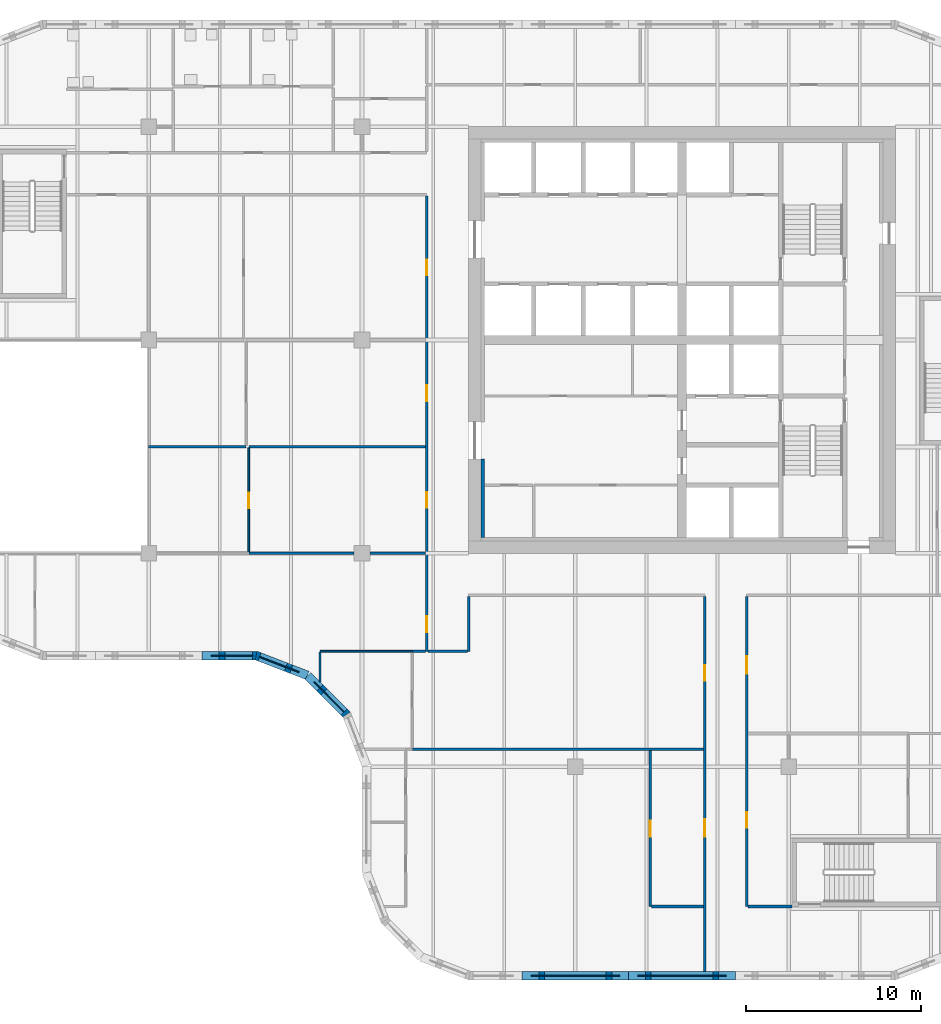
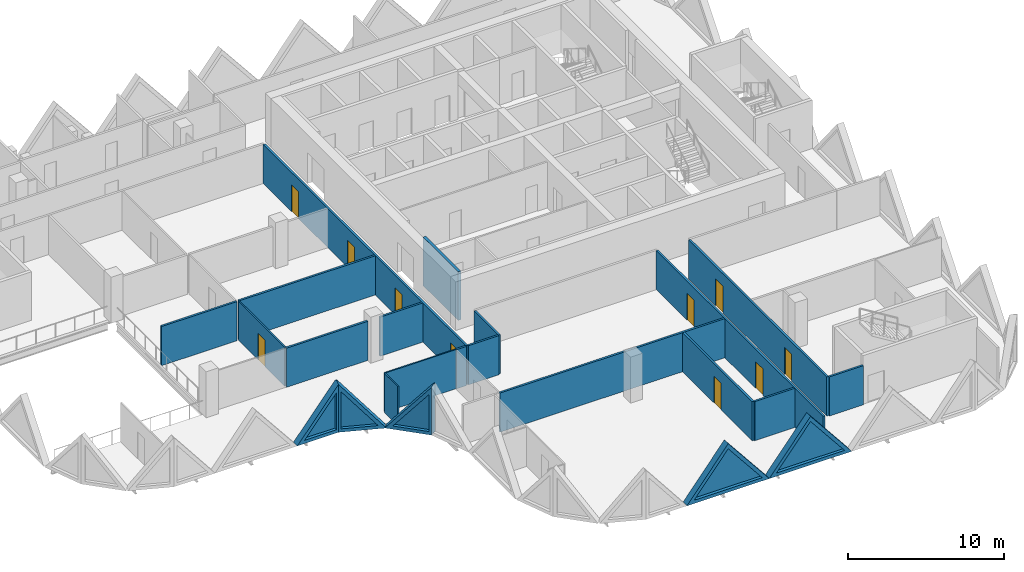
# One storey, part 5 of 17: 23 walls, 10 doors, 5 plates, 15 openings.
"""IFC4 building model written with IfcOpenShell, lengths in metres."""

from ifc_helpers import new_model, si_unit, direction, frame, frame_2d, origin, place, context, subcontext, project, spatial, polyline, rectangle, outline, extrude, faceted_brep, source, transform, mapped, material, layer, layer_set, type_object, element, fill, save


model = new_model("IFC4")

# Units and contexts
model_context = context("Model", 3, precision=1e-05, world=origin(), true_north=direction((0.0, 1.0)))
body_context = subcontext(model_context, "Body", "Model", "MODEL_VIEW")
ifc_project = project(units=[si_unit("LENGTHUNIT", "METRE"), si_unit("AREAUNIT", "SQUARE_METRE"), si_unit("VOLUMEUNIT", "CUBIC_METRE"), si_unit("PLANEANGLEUNIT", "RADIAN"), si_unit("MASSUNIT", "GRAM", prefix="KILO")], contexts=[model_context])

# Site, building, storey
site_placement = place(None, origin())
site = spatial("IfcSite", under=ifc_project, at=site_placement, CompositionType="ELEMENT")
building_placement = place(site_placement, origin())
building = spatial("IfcBuilding", under=site, at=building_placement, Name="Tessera Gate Towers", CompositionType="ELEMENT")
storey_placement = place(building_placement, frame((0.0, 0.0, 112.60009765625)))
storey = spatial("IfcBuildingStorey", under=building, at=storey_placement, Name="L27", CompositionType="ELEMENT", Elevation=112.60009765625)

# Wall
ifc_material_1 = material(Name="Concrete C60/75", Category="concrete")
ifc_layer_1 = layer(ifc_material_1, 0.199951171875)
ifc_layer_set_1 = layer_set([ifc_layer_1], Name="CORE WALL THICKENING 200")
wall_type_1 = type_object("IfcWallType", Name="CORE WALL THICKENING 200", PredefinedType="SOLIDWALL", material=ifc_layer_set_1)
wall_1_placement = place(storey_placement, frame((31.300048828125, 25.300048828125, 0.0), z_axis=(0.0, 0.0, 1.0), x_axis=(0.0, 1.0, 0.0)))
element("IfcWall", 1, at=wall_1_placement, inside=storey, type_object=wall_type_1, Name="Core wall thickening W L27", PredefinedType="SOLIDWALL", context=body_context, shape_type="SweptSolid", body=[
    extrude(rectangle(XDim=4.5, YDim=0.199951171875, at=frame_2d((2.25, 0.0))), origin(), (0.0, 0.0, 1.0), 3.7998046875),
])

# Wall, openings, doors
ifc_material_2 = material(Name="Gypsum board on steel studs, mineral wool", Category="steel")
ifc_layer_2 = layer(ifc_material_2, 0.14990234375)
ifc_layer_set_2 = layer_set([ifc_layer_2], Name="CORRIDOR WALL 150")
wall_type_2 = type_object("IfcWallType", Name="CORRIDOR WALL 150", PredefinedType="PARTITIONING", material=ifc_layer_set_2)
wall_2_placement = place(storey_placement, frame((44.0, 0.5, 0.0), z_axis=(0.0, 0.0, 1.0), x_axis=(0.0, 1.0, 0.0)))
wall_2 = element("IfcWall", 2, at=wall_2_placement, inside=storey, type_object=wall_type_2, Name="T1-L27-PW-001", PredefinedType="PARTITIONING", context=body_context, shape_type="SweptSolid", body=[
    extrude(rectangle(XDim=21.424072265625, YDim=0.14990234375, at=frame_2d((10.7119140625, 0.0))), origin(), (0.0, 0.0, 1.0), 3.06689453125),
])
shared_shape_1 = source(origin(), body_context, "Body", "SweptSolid", [
    extrude(rectangle(XDim=0.89990234375, YDim=2.10009765625, at=frame_2d((0.449951171875, 1.050048828125))), frame((0.0, 0.0849609375, 0.0), z_axis=(0.0, -1.0, 0.0), x_axis=(1.0, 0.0, 0.0)), (0.0, 0.0, 1.0), 0.169921875),
])
opening_1_placement = place(wall_2_placement, frame((16.60107421875, 0.0, 0.0)))
opening_1 = element("IfcOpeningElement", 3, at=opening_1_placement, cuts=wall_2, Name="Opening D890FD60-A10-06", PredefinedType="OPENING", context=body_context, shape_type="MappedRepresentation", body=[
    mapped(shared_shape_1, transform((0.0, 0.0, 0.0), scale=1.0)),
])
shared_shape_2 = source(origin(), body_context, "Body", "SweptSolid", [
    extrude(rectangle(XDim=1.0, YDim=2.10009765625, at=frame_2d((0.5, 1.050048828125))), frame((0.0, 0.0849609375, 0.0), z_axis=(0.0, -1.0, 0.0), x_axis=(1.0, 0.0, 0.0)), (0.0, 0.0, 1.0), 0.169921875),
])
opening_2_placement = place(wall_2_placement, frame((7.699951171875, 0.0, 0.0)))
opening_2 = element("IfcOpeningElement", 4, at=opening_2_placement, cuts=wall_2, Name="Opening D2100FD60-A10-05", PredefinedType="OPENING", context=body_context, shape_type="MappedRepresentation", body=[
    mapped(shared_shape_2, transform((0.0, 0.0, 0.0), scale=1.0)),
])
ifc_material_3 = material(Name="Timber door leaf in steel frame", Category="steel")
door_type_1 = type_object("IfcDoorType", Name="CORRIDOR DOOR 900 FD60", OperationType="NOTDEFINED", PredefinedType="DOOR", material=ifc_material_3)
shared_shape_3 = source(origin(), body_context, "Body", "SweptSolid", [
    extrude(rectangle(XDim=0.89990234375, YDim=2.10009765625, at=frame_2d((0.449951171875, 1.050048828125))), frame((0.0, 0.02490234375, 0.0), z_axis=(0.0, -1.0, 0.0), x_axis=(1.0, 0.0, 0.0)), (0.0, 0.0, 1.0), 0.050048828125),
])
door_1_placement = place(opening_1_placement, origin())
door_1 = element("IfcDoor", 5, at=door_1_placement, inside=storey, type_object=door_type_1, Name="T1-L27-PD-022", OperationType="SINGLE_SWING_LEFT", OverallHeight=2.10009765625, OverallWidth=0.89990234375, PredefinedType="DOOR", context=body_context, shape_type="MappedRepresentation", body=[
    mapped(shared_shape_3, transform((0.0, 0.0, 0.0), scale=1.0)),
])
fill(opening_1, door_1)
ifc_material_4 = material(Name="Timber door leaf in steel frame", Category="steel")
door_type_2 = type_object("IfcDoorType", Name="TENANCY ENTRANCE DOOR 1000 FD60", OperationType="NOTDEFINED", PredefinedType="DOOR", material=ifc_material_4)
shared_shape_4 = source(origin(), body_context, "Body", "SweptSolid", [
    extrude(rectangle(XDim=1.0, YDim=2.10009765625, at=frame_2d((0.5, 1.050048828125))), frame((0.0, 0.02490234375, 0.0), z_axis=(0.0, -1.0, 0.0), x_axis=(1.0, 0.0, 0.0)), (0.0, 0.0, 1.0), 0.050048828125),
])
door_2_placement = place(opening_2_placement, origin())
door_2 = element("IfcDoor", 6, at=door_2_placement, inside=storey, type_object=door_type_2, Name="T1-L27-PD-023", OperationType="SINGLE_SWING_LEFT", OverallHeight=2.10009765625, OverallWidth=1.0, PredefinedType="DOOR", context=body_context, shape_type="MappedRepresentation", body=[
    mapped(shared_shape_4, transform((0.0, 0.0, 0.0), scale=1.0)),
])
fill(opening_2, door_2)

wall_3_placement = place(storey_placement, frame((46.39990234375, 21.924072265625, 0.0), z_axis=(0.0, 0.0, 1.0), x_axis=(0.0, -1.0, 0.0)))
wall_3 = element("IfcWall", 7, at=wall_3_placement, inside=storey, type_object=wall_type_2, Name="T1-L27-PW-007", PredefinedType="PARTITIONING", context=body_context, shape_type="SweptSolid", body=[
    extrude(rectangle(XDim=17.72412109375, YDim=0.14990234375, at=frame_2d((8.862060546875, 0.0))), origin(), (0.0, 0.0, 1.0), 3.06689453125),
])
opening_3_placement = place(wall_3_placement, frame((3.423095703125, 0.0, 0.0)))
opening_3 = element("IfcOpeningElement", 8, at=opening_3_placement, cuts=wall_3, Name="Opening D2100FD60-A10-04", PredefinedType="OPENING", context=body_context, shape_type="MappedRepresentation", body=[
    mapped(shared_shape_2, transform((0.0, 0.0, 0.0), scale=1.0)),
])
opening_4_placement = place(wall_3_placement, frame((12.323974609375, 0.0, 0.0)))
opening_4 = element("IfcOpeningElement", 9, at=opening_4_placement, cuts=wall_3, Name="Opening D890FD60-A10-07", PredefinedType="OPENING", context=body_context, shape_type="MappedRepresentation", body=[
    mapped(shared_shape_1, transform((0.0, 0.0, 0.0), scale=1.0)),
])
door_3_placement = place(opening_4_placement, origin())
door_3 = element("IfcDoor", 10, at=door_3_placement, inside=storey, type_object=door_type_1, Name="T1-L27-PD-025", OperationType="SINGLE_SWING_RIGHT", OverallHeight=2.10009765625, OverallWidth=0.89990234375, PredefinedType="DOOR", context=body_context, shape_type="MappedRepresentation", body=[
    mapped(shared_shape_3, transform((0.0, 0.0, 0.0), scale=1.0)),
])
fill(opening_4, door_3)
door_4_placement = place(opening_3_placement, origin())
door_4 = element("IfcDoor", 11, at=door_4_placement, inside=storey, type_object=door_type_2, Name="T1-L27-PD-018", OperationType="SINGLE_SWING_RIGHT", OverallHeight=2.10009765625, OverallWidth=1.0, PredefinedType="DOOR", context=body_context, shape_type="MappedRepresentation", body=[
    mapped(shared_shape_4, transform((0.0, 0.0, 0.0), scale=1.0)),
])
fill(opening_3, door_4)

# Wall
wall_4_placement = place(storey_placement, frame((46.47607421875, 4.199951171875, 0.0), z_axis=(0.0, 0.0, 1.0), x_axis=(1.0, 0.0, 0.0)))
element("IfcWall", 12, at=wall_4_placement, inside=storey, type_object=wall_type_2, Name="T1-L27-PW-008", PredefinedType="PARTITIONING", context=body_context, shape_type="SweptSolid", body=[
    extrude(rectangle(XDim=2.52392578125, YDim=0.14990234375, at=frame_2d((1.261962890625, 0.0))), origin(), (0.0, 0.0, 1.0), 3.06689453125),
])

# Wall, openings, doors
wall_5_placement = place(storey_placement, frame((28.10009765625, 18.800048828125, 0.0), z_axis=(0.0, 0.0, 1.0), x_axis=(0.0, 1.0, 0.0)))
wall_5 = element("IfcWall", 13, at=wall_5_placement, inside=storey, type_object=wall_type_2, Name="T1-L27-PW-021", PredefinedType="PARTITIONING", context=body_context, shape_type="SweptSolid", body=[
    extrude(rectangle(XDim=26.02392578125, YDim=0.14990234375, at=frame_2d((13.011962890625, 0.0))), origin(), (0.0, 0.0, 1.0), 3.06689453125),
])
opening_5_placement = place(wall_5_placement, frame((1.10009765625, 0.0, 0.0)))
opening_5 = element("IfcOpeningElement", 14, at=opening_5_placement, cuts=wall_5, Name="Opening D890FD60-A10-01", PredefinedType="OPENING", context=body_context, shape_type="MappedRepresentation", body=[
    mapped(shared_shape_1, transform((0.0, 0.0, 0.0), scale=1.0)),
])
opening_6_placement = place(wall_5_placement, frame((14.301025390625, 0.0, 0.0)))
opening_6 = element("IfcOpeningElement", 15, at=opening_6_placement, cuts=wall_5, Name="Opening D890FD60-A10-02", PredefinedType="OPENING", context=body_context, shape_type="MappedRepresentation", body=[
    mapped(shared_shape_1, transform((0.0, 0.0, 0.0), scale=1.0)),
])
opening_7_placement = place(wall_5_placement, frame((8.199951171875, 0.0, 0.0)))
opening_7 = element("IfcOpeningElement", 16, at=opening_7_placement, cuts=wall_5, Name="Opening D890FD60-A10-03", PredefinedType="OPENING", context=body_context, shape_type="MappedRepresentation", body=[
    mapped(shared_shape_1, transform((0.0, 0.0, 0.0), scale=1.0)),
])
opening_8_placement = place(wall_5_placement, frame((21.5, 0.0, 0.0)))
opening_8 = element("IfcOpeningElement", 17, at=opening_8_placement, cuts=wall_5, Name="Opening D890FD60-A10-04", PredefinedType="OPENING", context=body_context, shape_type="MappedRepresentation", body=[
    mapped(shared_shape_1, transform((0.0, 0.0, 0.0), scale=1.0)),
])
door_5_placement = place(opening_5_placement, origin())
door_5 = element("IfcDoor", 18, at=door_5_placement, inside=storey, type_object=door_type_1, Name="T1-L27-PD-001", OperationType="SINGLE_SWING_LEFT", OverallHeight=2.10009765625, OverallWidth=0.89990234375, PredefinedType="DOOR", context=body_context, shape_type="MappedRepresentation", body=[
    mapped(shared_shape_3, transform((0.0, 0.0, 0.0), scale=1.0)),
])
fill(opening_5, door_5)
door_6_placement = place(opening_6_placement, origin())
door_6 = element("IfcDoor", 19, at=door_6_placement, inside=storey, type_object=door_type_1, Name="T1-L27-PD-014", OperationType="SINGLE_SWING_LEFT", OverallHeight=2.10009765625, OverallWidth=0.89990234375, PredefinedType="DOOR", context=body_context, shape_type="MappedRepresentation", body=[
    mapped(shared_shape_3, transform((0.0, 0.0, 0.0), scale=1.0)),
])
fill(opening_6, door_6)
door_7_placement = place(opening_7_placement, origin())
door_7 = element("IfcDoor", 20, at=door_7_placement, inside=storey, type_object=door_type_1, Name="T1-L27-PD-017", OperationType="SINGLE_SWING_LEFT", OverallHeight=2.10009765625, OverallWidth=0.89990234375, PredefinedType="DOOR", context=body_context, shape_type="MappedRepresentation", body=[
    mapped(shared_shape_3, transform((0.0, 0.0, 0.0), scale=1.0)),
])
fill(opening_7, door_7)
door_8_placement = place(opening_8_placement, origin())
door_8 = element("IfcDoor", 21, at=door_8_placement, inside=storey, type_object=door_type_1, Name="T1-L27-PD-020", OperationType="SINGLE_SWING_LEFT", OverallHeight=2.10009765625, OverallWidth=0.89990234375, PredefinedType="DOOR", context=body_context, shape_type="MappedRepresentation", body=[
    mapped(shared_shape_3, transform((0.0, 0.0, 0.0), scale=1.0)),
])
fill(opening_8, door_8)

# Walls
wall_6_placement = place(storey_placement, frame((28.176025390625, 18.800048828125, 0.0), z_axis=(0.0, 0.0, 1.0), x_axis=(1.0, 0.0, 0.0)))
element("IfcWall", 22, at=wall_6_placement, inside=storey, type_object=wall_type_2, Name="T1-L27-PW-022", PredefinedType="PARTITIONING", context=body_context, shape_type="SweptSolid", body=[
    extrude(rectangle(XDim=2.248046875, YDim=0.14990234375, at=frame_2d((1.1240234375, 0.0))), origin(), (0.0, 0.0, 1.0), 3.06689453125),
])
wall_7_placement = place(storey_placement, frame((30.5, 18.800048828125, 0.0), z_axis=(0.0, 0.0, 1.0), x_axis=(0.0, 1.0, 0.0)))
element("IfcWall", 23, at=wall_7_placement, inside=storey, type_object=wall_type_2, Name="T1-L27-PW-023", PredefinedType="PARTITIONING", context=body_context, shape_type="SweptSolid", body=[
    extrude(rectangle(XDim=3.1240234375, YDim=0.14990234375, at=frame_2d((1.56201171875, 0.0))), origin(), (0.0, 0.0, 1.0), 3.06689453125),
])
ifc_material_5 = material(Name="Glass", Category="glass")
ifc_layer_3 = layer(ifc_material_5, 0.10009765625)
ifc_layer_set_3 = layer_set([ifc_layer_3], Name="GLAZED PARTITION 100")
wall_type_3 = type_object("IfcWallType", Name="GLAZED PARTITION 100", PredefinedType="PARTITIONING", material=ifc_layer_set_3)
wall_8_placement = place(storey_placement, frame((22.0, 17.054931640625, 0.0), z_axis=(0.0, 0.0, 1.0), x_axis=(0.0, 1.0, 0.0)))
element("IfcWall", 24, at=wall_8_placement, inside=storey, type_object=wall_type_3, Name="T1-L27-PW-018", PredefinedType="PARTITIONING", context=body_context, shape_type="SweptSolid", body=[
    extrude(rectangle(XDim=1.694091796875, YDim=0.10009765625, at=frame_2d((0.84716796875, 0.0))), origin(), (0.0, 0.0, 1.0), 3.06689453125),
])
wall_9_placement = place(storey_placement, frame((22.0, 18.800048828125, 0.0), z_axis=(0.0, 0.0, 1.0), x_axis=(1.0, 0.0, 0.0)))
element("IfcWall", 25, at=wall_9_placement, inside=storey, type_object=wall_type_3, Name="T1-L27-PW-019", PredefinedType="PARTITIONING", context=body_context, shape_type="SweptSolid", body=[
    extrude(rectangle(XDim=5.27392578125, YDim=0.10009765625, at=frame_2d((2.636962890625, 0.0))), origin(), (0.0, 0.0, 1.0), 3.06689453125),
])

# Wall, opening, door
wall_10_placement = place(storey_placement, frame((17.925048828125, 24.47607421875, 0.0), z_axis=(0.0, 0.0, 1.0), x_axis=(0.0, 1.0, 0.0)))
wall_10 = element("IfcWall", 26, at=wall_10_placement, inside=storey, type_object=wall_type_3, Name="T1-L27-PW-032", PredefinedType="PARTITIONING", context=body_context, shape_type="SweptSolid", body=[
    extrude(rectangle(XDim=5.947998046875, YDim=0.10009765625, at=frame_2d((2.97412109375, 0.0))), origin(), (0.0, 0.0, 1.0), 3.06689453125),
])
shared_shape_5 = source(origin(), body_context, "Body", "SweptSolid", [
    extrude(rectangle(XDim=0.89990234375, YDim=2.10009765625, at=frame_2d((0.449951171875, 1.050048828125))), frame((0.0, 0.06005859375, 0.0), z_axis=(0.0, -1.0, 0.0), x_axis=(1.0, 0.0, 0.0)), (0.0, 0.0, 1.0), 0.1201171875),
])
opening_9_placement = place(wall_10_placement, frame((2.5, 0.0, 0.0)))
opening_9 = element("IfcOpeningElement", 27, at=opening_9_placement, cuts=wall_10, Name="Opening D690-A10-04", PredefinedType="OPENING", context=body_context, shape_type="MappedRepresentation", body=[
    mapped(shared_shape_5, transform((0.0, 0.0, 0.0), scale=1.0)),
])
ifc_material_6 = material(Name="Glass in aluminium frame", Category="aluminium")
door_type_3 = type_object("IfcDoorType", Name="GLAZED DOOR 900 NOT RATED", OperationType="NOTDEFINED", PredefinedType="DOOR", material=ifc_material_6)
door_9_placement = place(opening_9_placement, origin())
door_9 = element("IfcDoor", 28, at=door_9_placement, inside=storey, type_object=door_type_3, Name="T1-L27-PD-011", OperationType="SINGLE_SWING_LEFT", OverallHeight=2.10009765625, OverallWidth=0.89990234375, PredefinedType="DOOR", context=body_context, shape_type="MappedRepresentation", body=[
    mapped(shared_shape_3, transform((0.0, 0.0, 0.0), scale=1.0)),
])
fill(opening_9, door_9)

ifc_material_7 = material(Name="Gypsum board on steel studs, mineral wool", Category="steel")
ifc_layer_4 = layer(ifc_material_7, 0.14990234375)
ifc_layer_set_4 = layer_set([ifc_layer_4], Name="TENANCY WALL 150")
wall_type_4 = type_object("IfcWallType", Name="TENANCY WALL 150", PredefinedType="PARTITIONING", material=ifc_layer_set_4)
wall_11_placement = place(storey_placement, frame((40.875, 4.199951171875, 0.0), z_axis=(0.0, 0.0, 1.0), x_axis=(0.0, 1.0, 0.0)))
wall_11 = element("IfcWall", 29, at=wall_11_placement, inside=storey, type_object=wall_type_4, Name="T1-L27-PW-005", PredefinedType="PARTITIONING", context=body_context, shape_type="SweptSolid", body=[
    extrude(rectangle(XDim=8.924072265625, YDim=0.14990234375, at=frame_2d((4.4619140625, 0.0))), origin(), (0.0, 0.0, 1.0), 3.06689453125),
])
opening_10_placement = place(wall_11_placement, frame((4.0, 0.0, 0.0)))
opening_10 = element("IfcOpeningElement", 30, at=opening_10_placement, cuts=wall_11, Name="Opening D190-A10-07", PredefinedType="OPENING", context=body_context, shape_type="MappedRepresentation", body=[
    mapped(shared_shape_1, transform((0.0, 0.0, 0.0), scale=1.0)),
])
ifc_material_8 = material(Name="Timber door leaf in steel frame", Category="steel")
door_type_4 = type_object("IfcDoorType", Name="INTERNAL DOOR 900 NOT RATED", OperationType="NOTDEFINED", PredefinedType="DOOR", material=ifc_material_8)
door_10_placement = place(opening_10_placement, origin())
door_10 = element("IfcDoor", 31, at=door_10_placement, inside=storey, type_object=door_type_4, Name="T1-L27-PD-026", OperationType="SINGLE_SWING_LEFT", OverallHeight=2.10009765625, OverallWidth=0.89990234375, PredefinedType="DOOR", context=body_context, shape_type="MappedRepresentation", body=[
    mapped(shared_shape_3, transform((0.0, 0.0, 0.0), scale=1.0)),
])
fill(opening_10, door_10)

# Walls
wall_12_placement = place(storey_placement, frame((40.950927734375, 4.199951171875, 0.0), z_axis=(0.0, 0.0, 1.0), x_axis=(1.0, 0.0, 0.0)))
element("IfcWall", 32, at=wall_12_placement, inside=storey, type_object=wall_type_4, Name="T1-L27-PW-006", PredefinedType="PARTITIONING", context=body_context, shape_type="SweptSolid", body=[
    extrude(rectangle(XDim=2.97314453125, YDim=0.14990234375, at=frame_2d((1.486572265625, 0.0))), origin(), (0.0, 0.0, 1.0), 3.06689453125),
])
wall_13_placement = place(storey_placement, frame((27.27490234375, 13.199951171875, 0.0), z_axis=(0.0, 0.0, 1.0), x_axis=(1.0, 0.0, 0.0)))
element("IfcWall", 33, at=wall_13_placement, inside=storey, type_object=wall_type_4, Name="T1-L27-PW-014", PredefinedType="PARTITIONING", context=body_context, shape_type="SweptSolid", body=[
    extrude(rectangle(XDim=16.649169921875, YDim=0.14990234375, at=frame_2d((8.32470703125, 0.0))), origin(), (0.0, 0.0, 1.0), 3.06689453125),
])
wall_14_placement = place(storey_placement, frame((27.27490234375, 18.800048828125, 0.0), z_axis=(0.0, 0.0, 1.0), x_axis=(1.0, 0.0, 0.0)))
element("IfcWall", 34, at=wall_14_placement, inside=storey, type_object=wall_type_4, Name="T1-L27-PW-020", PredefinedType="PARTITIONING", context=body_context, shape_type="SweptSolid", body=[
    extrude(rectangle(XDim=0.7490234375, YDim=0.14990234375, at=frame_2d((0.37451171875, 0.0))), origin(), (0.0, 0.0, 1.0), 3.06689453125),
])
wall_15_placement = place(storey_placement, frame((17.925048828125, 24.39990234375, 0.0), z_axis=(0.0, 0.0, 1.0), x_axis=(1.0, 0.0, 0.0)))
element("IfcWall", 35, at=wall_15_placement, inside=storey, type_object=wall_type_4, Name="T1-L27-PW-030", PredefinedType="PARTITIONING", context=body_context, shape_type="SweptSolid", body=[
    extrude(rectangle(XDim=6.02392578125, YDim=0.14990234375, at=frame_2d((3.011962890625, 0.0))), origin(), (0.0, 0.0, 1.0), 3.06689453125),
])
wall_16_placement = place(storey_placement, frame((24.85107421875, 24.39990234375, 0.0), z_axis=(0.0, 0.0, 1.0), x_axis=(1.0, 0.0, 0.0)))
element("IfcWall", 36, at=wall_16_placement, inside=storey, type_object=wall_type_4, Name="T1-L27-PW-031", PredefinedType="PARTITIONING", context=body_context, shape_type="SweptSolid", body=[
    extrude(rectangle(XDim=3.1728515625, YDim=0.14990234375, at=frame_2d((1.58642578125, 0.0))), origin(), (0.0, 0.0, 1.0), 3.06689453125),
])
wall_17_placement = place(storey_placement, frame((12.199951171875, 30.5, 0.0), z_axis=(0.0, 0.0, 1.0), x_axis=(1.0, 0.0, 0.0)))
element("IfcWall", 37, at=wall_17_placement, inside=storey, type_object=wall_type_4, Name="T1-L27-PW-033", PredefinedType="PARTITIONING", context=body_context, shape_type="SweptSolid", body=[
    extrude(rectangle(XDim=5.574951171875, YDim=0.14990234375, at=frame_2d((2.78759765625, 0.0))), origin(), (0.0, 0.0, 1.0), 3.06689453125),
])
wall_18_placement = place(storey_placement, frame((17.925048828125, 30.5, 0.0), z_axis=(0.0, 0.0, 1.0), x_axis=(1.0, 0.0, 0.0)))
element("IfcWall", 38, at=wall_18_placement, inside=storey, type_object=wall_type_4, Name="T1-L27-PW-034", PredefinedType="PARTITIONING", context=body_context, shape_type="SweptSolid", body=[
    extrude(rectangle(XDim=10.098876953125, YDim=0.14990234375, at=frame_2d((5.04931640625, 0.0))), origin(), (0.0, 0.0, 1.0), 3.06689453125),
])

# Wall, opening, plate
ifc_material_9 = material(Name="Precast concrete C60/75 white", Category="concrete")
ifc_layer_5 = layer(ifc_material_9, 0.5)
ifc_layer_set_5 = layer_set([ifc_layer_5], Name="TS2 half tessera")
wall_type_5 = type_object("IfcWallType", Name="TS2 half tessera", PredefinedType="SOLIDWALL", material=ifc_layer_set_5)
shared_shape_6 = source(origin(), body_context, "Body", "Brep", [
    faceted_brep([(6.099853515625, -0.25, 0.000244140625), (3.050048828125, -0.25, 3.7998046875), (0.0, -0.25, 0.0), (6.099853515625, -0.25, 0.0), (0.0, 0.25, 0.0), (3.050048828125, 0.25, 3.7998046875), (6.099853515625, 0.25, 0.000244140625), (6.099853515625, 0.25, 0.0)], [[[0, 1, 2, 3]], [[4, 5, 6, 7]], [[6, 5, 1, 0]], [[5, 4, 2, 1]], [[4, 7, 3, 2]], [[3, 7, 6, 0]]]),
])
wall_19_placement = place(storey_placement, frame((33.550048828125, 0.25, 0.0), z_axis=(0.0, 0.0, 1.0), x_axis=(1.0, 0.0, 0.0)))
wall_19 = element("IfcWall", 39, at=wall_19_placement, inside=storey, type_object=wall_type_5, Name="Precast half tessera T1 TS2-0138", PredefinedType="SOLIDWALL", context=body_context, shape_type="MappedRepresentation", body=[
    mapped(shared_shape_6, transform((0.0, 0.0, 0.0), scale=1.0)),
])
shared_shape_7 = source(origin(), body_context, "Body", "SweptSolid", [
    extrude(outline(polyline([(5.578857421875, 0.25), (3.050048828125, 3.400390625), (0.521240234375, 0.25), (5.578857421875, 0.25)])), frame((0.0, 0.260009765625, 0.0), z_axis=(0.0, -1.0, 0.0), x_axis=(1.0, 0.0, 0.0)), (0.0, 0.0, 1.0), 0.52001953125),
])
opening_11_placement = place(wall_19_placement, origin())
opening_11 = element("IfcOpeningElement", 40, at=opening_11_placement, cuts=wall_19, Name="Opening T1-PL1-0284", PredefinedType="OPENING", context=body_context, shape_type="MappedRepresentation", body=[
    mapped(shared_shape_7, transform((0.0, 0.0, 0.0), scale=1.0)),
])
ifc_material_10 = material(Name="Low-e laminated glass", Category="glass")
ifc_layer_6 = layer(ifc_material_10, 0.06005859375)
ifc_layer_set_6 = layer_set([ifc_layer_6], Name="PL1 triangular pane")
plate_type = type_object("IfcPlateType", Name="PL1 triangular pane", PredefinedType="SHEET", material=ifc_layer_set_6)
shared_shape_8 = source(origin(), body_context, "Body", "SweptSolid", [
    extrude(outline(polyline([(5.578857421875, 0.25), (3.050048828125, 3.400390625), (0.521240234375, 0.25), (5.578857421875, 0.25)])), frame((0.0, 0.030029296875, 0.0), z_axis=(0.0, -1.0, 0.0), x_axis=(1.0, 0.0, 0.0)), (0.0, 0.0, 1.0), 0.06005859375),
])
plate_1_placement = place(opening_11_placement, origin())
plate_1 = element("IfcPlate", 41, at=plate_1_placement, inside=storey, type_object=plate_type, Name="Glass pane T1 PL1-0284", PredefinedType="SHEET", context=body_context, shape_type="MappedRepresentation", body=[
    mapped(shared_shape_8, transform((0.0, 0.0, 0.0), scale=1.0)),
])
fill(opening_11, plate_1)

shared_shape_9 = source(origin(), body_context, "Body", "SweptSolid", [
    extrude(outline(polyline([(6.10009765625, 0.0), (3.050048828125, 3.7998046875), (0.0, 0.0), (6.10009765625, 0.0)])), frame((0.0, 0.25, 0.0), z_axis=(0.0, -1.0, 0.0), x_axis=(1.0, 0.0, 0.0)), (0.0, 0.0, 1.0), 0.5),
])
wall_20_placement = place(storey_placement, frame((39.64990234375, 0.25, 0.0), z_axis=(0.0, 0.0, 1.0), x_axis=(1.0, 0.0, 0.0)))
wall_20 = element("IfcWall", 42, at=wall_20_placement, inside=storey, type_object=wall_type_5, Name="Precast half tessera T1 TS2-0139", PredefinedType="SOLIDWALL", context=body_context, shape_type="MappedRepresentation", body=[
    mapped(shared_shape_9, transform((0.0, 0.0, 0.0), scale=1.0)),
])
opening_12_placement = place(wall_20_placement, origin())
opening_12 = element("IfcOpeningElement", 43, at=opening_12_placement, cuts=wall_20, Name="Opening T1-PL1-0285", PredefinedType="OPENING", context=body_context, shape_type="MappedRepresentation", body=[
    mapped(shared_shape_7, transform((0.0, 0.0, 0.0), scale=1.0)),
])
plate_2_placement = place(opening_12_placement, origin())
plate_2 = element("IfcPlate", 44, at=plate_2_placement, inside=storey, type_object=plate_type, Name="Glass pane T1 PL1-0285", PredefinedType="SHEET", context=body_context, shape_type="MappedRepresentation", body=[
    mapped(shared_shape_8, transform((0.0, 0.0, 0.0), scale=1.0)),
])
fill(opening_12, plate_2)

ifc_material_11 = material(Name="Precast concrete C60/75 white", Category="concrete")
ifc_layer_7 = layer(ifc_material_11, 0.5)
ifc_layer_set_7 = layer_set([ifc_layer_7], Name="TS3 corner tessera")
wall_type_6 = type_object("IfcWallType", Name="TS3 corner tessera", PredefinedType="SOLIDWALL", material=ifc_layer_set_7)
shared_shape_10 = source(origin(), body_context, "Body", "Brep", [
    faceted_brep([(3.050048828125, -0.25, 3.742919921875), (0.0, -0.25, 0.0), (3.050048828125, -0.25, 0.0), (0.0, 0.25, 0.0), (3.096435546875, 0.25, 3.7998046875), (3.14306640625, 0.25, 3.743408203125), (3.14306640625, 0.25, 0.0), (3.096435546875, -0.00048828125, 3.7998046875)], [[[0, 1, 2]], [[3, 4, 5, 6]], [[5, 4, 7]], [[4, 3, 1, 0, 7]], [[3, 6, 2, 1]], [[2, 6, 5, 7, 0]]]),
])
wall_21_placement = place(storey_placement, frame((15.25, 18.550048828125, 0.0), z_axis=(0.0, 0.0, 1.0), x_axis=(1.0, 0.0, 0.0)))
wall_21 = element("IfcWall", 45, at=wall_21_placement, inside=storey, type_object=wall_type_6, Name="Precast corner tessera T1 TS3-0619", PredefinedType="SOLIDWALL", context=body_context, shape_type="MappedRepresentation", body=[
    mapped(shared_shape_10, transform((0.0, 0.0, 0.0), scale=1.0)),
])
shared_shape_11 = source(origin(), body_context, "Body", "SweptSolid", [
    extrude(outline(polyline([(2.896484375, 3.15869140625), (0.526123046875, 0.25), (2.896484375, 0.25), (2.896484375, 3.15869140625)])), frame((0.0, 0.260009765625, 0.0), z_axis=(0.0, -1.0, 0.0), x_axis=(1.0, 0.0, 0.0)), (0.0, 0.0, 1.0), 0.52001953125),
])
opening_13_placement = place(wall_21_placement, origin())
opening_13 = element("IfcOpeningElement", 46, at=opening_13_placement, cuts=wall_21, Name="Opening T1-PL1-0322", PredefinedType="OPENING", context=body_context, shape_type="MappedRepresentation", body=[
    mapped(shared_shape_11, transform((0.0, 0.0, 0.0), scale=1.0)),
])
shared_shape_12 = source(origin(), body_context, "Body", "SweptSolid", [
    extrude(outline(polyline([(2.896484375, 3.15869140625), (0.526123046875, 0.25), (2.896484375, 0.25), (2.896484375, 3.15869140625)])), frame((0.0, 0.030029296875, 0.0), z_axis=(0.0, -1.0, 0.0), x_axis=(1.0, 0.0, 0.0)), (0.0, 0.0, 1.0), 0.06005859375),
])
plate_3_placement = place(opening_13_placement, origin())
plate_3 = element("IfcPlate", 47, at=plate_3_placement, inside=storey, type_object=plate_type, Name="Glass pane T1 PL1-0322", PredefinedType="SHEET", context=body_context, shape_type="MappedRepresentation", body=[
    mapped(shared_shape_12, transform((0.0, 0.0, 0.0), scale=1.0)),
])
fill(opening_13, plate_3)

shared_shape_13 = source(origin(), body_context, "Body", "Brep", [
    faceted_brep([(3.14306640625, -0.25, 0.063720703125), (0.09326171875, -0.25, 3.74365234375), (0.09326171875, -0.25, 0.0), (3.14306640625, -0.25, 0.0), (0.0, 0.25, 3.74267578125), (0.046630859375, 0.25, 3.7998046875), (3.196044921875, 0.25, 0.0), (0.0, 0.25, 0.0), (0.046630859375, 0.0, 3.7998046875), (3.196044921875, -0.000244140625, 0.0)], [[[0, 1, 2, 3]], [[4, 5, 6, 7]], [[6, 5, 8, 1, 0, 9]], [[5, 4, 8]], [[7, 6, 9, 3, 2]], [[7, 2, 1, 8, 4]], [[3, 9, 0]]]),
])
wall_22_placement = place(storey_placement, frame((18.302978515625, 18.56689453125, 0.0), z_axis=(0.0, 0.0, 1.0), x_axis=(0.932978940178, -0.359930961693, 0.0)))
wall_22 = element("IfcWall", 48, at=wall_22_placement, inside=storey, type_object=wall_type_6, Name="Precast corner tessera T1 TS3-0620", PredefinedType="SOLIDWALL", context=body_context, shape_type="MappedRepresentation", body=[
    mapped(shared_shape_13, transform((0.0, 0.0, 0.0), scale=1.0)),
])
shared_shape_14 = source(origin(), body_context, "Body", "SweptSolid", [
    extrude(outline(polyline([(2.664306640625, 0.25), (0.24658203125, 3.166748046875), (0.24658203125, 0.25), (2.664306640625, 0.25)])), frame((0.0, 0.260009765625, 0.0), z_axis=(0.0, -1.0, 0.0), x_axis=(1.0, 0.0, 0.0)), (0.0, 0.0, 1.0), 0.52001953125),
])
opening_14_placement = place(wall_22_placement, origin())
opening_14 = element("IfcOpeningElement", 49, at=opening_14_placement, cuts=wall_22, Name="Opening T1-PL1-0323", PredefinedType="OPENING", context=body_context, shape_type="MappedRepresentation", body=[
    mapped(shared_shape_14, transform((0.0, 0.0, 0.0), scale=1.0)),
])
shared_shape_15 = source(origin(), body_context, "Body", "SweptSolid", [
    extrude(outline(polyline([(2.664306640625, 0.25), (0.24658203125, 3.166748046875), (0.24658203125, 0.25), (2.664306640625, 0.25)])), frame((0.0, 0.030029296875, 0.0), z_axis=(0.0, -1.0, 0.0), x_axis=(1.0, 0.0, 0.0)), (0.0, 0.0, 1.0), 0.06005859375),
])
plate_4_placement = place(opening_14_placement, origin())
plate_4 = element("IfcPlate", 50, at=plate_4_placement, inside=storey, type_object=plate_type, Name="Glass pane T1 PL1-0323", PredefinedType="SHEET", context=body_context, shape_type="MappedRepresentation", body=[
    mapped(shared_shape_15, transform((0.0, 0.0, 0.0), scale=1.0)),
])
fill(opening_14, plate_4)

shared_shape_16 = source(origin(), body_context, "Body", "Brep", [
    faceted_brep([(3.10302734375, -0.25, 3.736083984375), (0.052978515625, -0.25, 0.063720703125), (0.052978515625, -0.25, 0.0), (3.10302734375, -0.25, 0.0), (0.0, 0.25, 0.0), (3.15576171875, 0.25, 3.7998046875), (3.208740234375, 0.25, 3.73583984375), (3.208740234375, 0.25, 0.0), (3.15576171875, -0.00048828125, 3.7998046875), (0.0, 0.0, 0.0)], [[[0, 1, 2, 3]], [[4, 5, 6, 7]], [[6, 5, 8]], [[5, 4, 9, 1, 0, 8]], [[4, 7, 3, 2, 9]], [[9, 2, 1]], [[3, 7, 6, 8, 0]]]),
])
wall_23_placement = place(storey_placement, frame((21.284912109375, 17.41650390625, 0.0), z_axis=(0.0, 0.0, 1.0), x_axis=(0.707106781187, -0.707106781187, 0.0)))
wall_23 = element("IfcWall", 51, at=wall_23_placement, inside=storey, type_object=wall_type_6, Name="Precast corner tessera T1 TS3-0621", PredefinedType="SOLIDWALL", context=body_context, shape_type="MappedRepresentation", body=[
    mapped(shared_shape_16, transform((0.0, 0.0, 0.0), scale=1.0)),
])
shared_shape_17 = source(origin(), body_context, "Body", "SweptSolid", [
    extrude(outline(polyline([(2.955810546875, 3.167724609375), (0.53271484375, 0.25), (2.955810546875, 0.25), (2.955810546875, 3.167724609375)])), frame((0.0, 0.260009765625, 0.0), z_axis=(0.0, -1.0, 0.0), x_axis=(1.0, 0.0, 0.0)), (0.0, 0.0, 1.0), 0.52001953125),
])
opening_15_placement = place(wall_23_placement, origin())
opening_15 = element("IfcOpeningElement", 52, at=opening_15_placement, cuts=wall_23, Name="Opening T1-PL1-0324", PredefinedType="OPENING", context=body_context, shape_type="MappedRepresentation", body=[
    mapped(shared_shape_17, transform((0.0, 0.0, 0.0), scale=1.0)),
])
shared_shape_18 = source(origin(), body_context, "Body", "SweptSolid", [
    extrude(outline(polyline([(2.955810546875, 3.167724609375), (0.53271484375, 0.25), (2.955810546875, 0.25), (2.955810546875, 3.167724609375)])), frame((0.0, 0.030029296875, 0.0), z_axis=(0.0, -1.0, 0.0), x_axis=(1.0, 0.0, 0.0)), (0.0, 0.0, 1.0), 0.06005859375),
])
plate_5_placement = place(opening_15_placement, origin())
plate_5 = element("IfcPlate", 53, at=plate_5_placement, inside=storey, type_object=plate_type, Name="Glass pane T1 PL1-0324", PredefinedType="SHEET", context=body_context, shape_type="MappedRepresentation", body=[
    mapped(shared_shape_18, transform((0.0, 0.0, 0.0), scale=1.0)),
])
fill(opening_15, plate_5)

save(model, "model.ifc")
